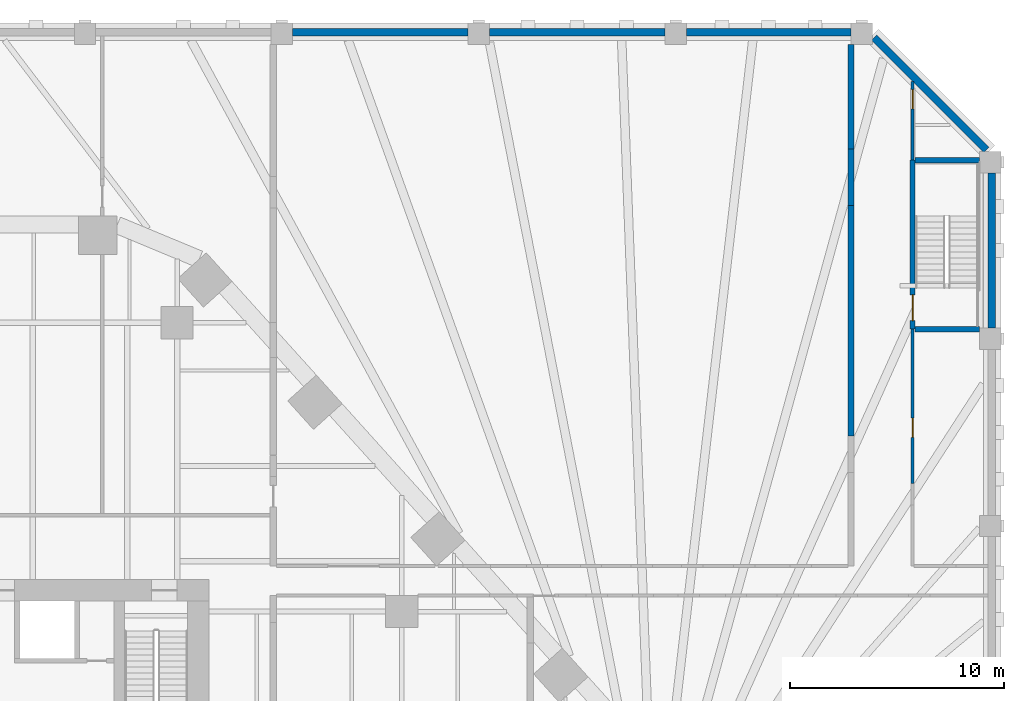
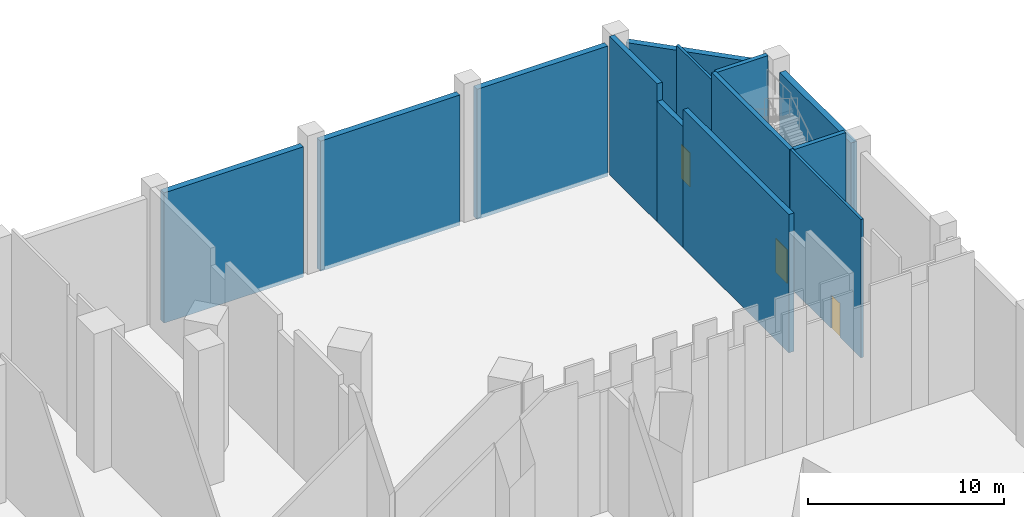
# One storey, part 12 of 23: 13 walls, 3 doors, 3 openings.
"""IFC4 building model written with IfcOpenShell, lengths in metres."""

import ifcopenshell
import ifcopenshell.guid

model = None  # the IFC model being written
_history = None  # IfcOwnerHistory: only IFC2X3 demands one
_inside = {}  # id of a spatial element -> (the spatial element, [elements in it])
_under = {}  # id of a project, library or spatial element -> (it, [spatial elements below it])
_declared = {}  # id of a project -> (the project, [libraries it declares])
_typed = {}  # id of a type object -> (the type object, [elements of that type])
_made_of = {}  # id of a material, layer set ... -> (it, [elements and type objects made of it])


def new_model(schema):
    """Start an empty IFC model of exactly this schema.

    Asked for "IFC4X3", IfcOpenShell would pick the latest addendum, in which some entities
    have other attributes; the version numbers below select the first issue.
    IFC2X3 requires an IfcOwnerHistory on every rooted entity: one is made here for all.
    """
    global model, _history
    if schema == "IFC4X3":
        model = ifcopenshell.file(schema_version=(4, 3, 0, 0))
    else:
        model = ifcopenshell.file(schema=schema)
    _inside.clear()
    _under.clear()
    _declared.clear()
    _typed.clear()
    _made_of.clear()
    _history = None
    if model.schema == "IFC2X3":
        org = make("IfcOrganization", Name="unknown")
        user = make(
            "IfcPersonAndOrganization",
            ThePerson=make("IfcPerson", FamilyName="unknown"),
            TheOrganization=org,
        )
        app = make(
            "IfcApplication",
            ApplicationDeveloper=org,
            Version="unknown",
            ApplicationFullName="unknown",
            ApplicationIdentifier="unknown",
        )
        _history = make(
            "IfcOwnerHistory",
            OwningUser=user,
            OwningApplication=app,
            ChangeAction="ADDED",
            CreationDate=0,
        )
    return model


def make(cls, **values):
    """One entity of the class cls with the attributes given. An attribute that is None is left unset."""
    return model.create_entity(
        cls, **{name: value for name, value in values.items() if value is not None}
    )


def rooted(cls, **values):
    """An entity with a GlobalId (a new one), such as an element, a storey or a relation."""
    return make(cls, GlobalId=ifcopenshell.guid.new(), OwnerHistory=_history, **values)


def si_unit(unit_type, name, prefix=None):
    """IfcSIUnit, for example si_unit("LENGTHUNIT", "METRE", prefix="MILLI")."""
    return make("IfcSIUnit", UnitType=unit_type, Prefix=prefix, Name=name)


def assignment(units):
    """IfcUnitAssignment: the units of a project."""
    return None if units is None else make("IfcUnitAssignment", Units=units)


def point(xyz):
    """IfcCartesianPoint."""
    return None if xyz is None else make("IfcCartesianPoint", Coordinates=xyz)


def direction(xyz):
    """IfcDirection."""
    return None if xyz is None else make("IfcDirection", DirectionRatios=xyz)


def frame(location, z_axis=None, x_axis=None):
    """IfcAxis2Placement3D, a coordinate frame: its origin and axes. An axis left out is left unset."""
    return make(
        "IfcAxis2Placement3D",
        Location=point(location),
        Axis=direction(z_axis),
        RefDirection=direction(x_axis),
    )


def frame_2d(location, x_axis=None):
    """IfcAxis2Placement2D, a coordinate frame in the plane: its origin and x axis."""
    return make(
        "IfcAxis2Placement2D", Location=point(location), RefDirection=direction(x_axis)
    )


def origin():
    """The frame at (0, 0, 0) with its axes left unset."""
    return frame((0.0, 0.0, 0.0))


def place(relative_to, where):
    """IfcLocalPlacement: puts the frame where relative to a parent placement (None: the world)."""
    return make(
        "IfcLocalPlacement", PlacementRelTo=relative_to, RelativePlacement=where
    )


def context(
    kind, dimensions, precision=None, world=None, true_north=None, identifier=None
):
    """IfcGeometricRepresentationContext, for example the 3D "Model" context."""
    return make(
        "IfcGeometricRepresentationContext",
        ContextIdentifier=identifier,
        ContextType=kind,
        CoordinateSpaceDimension=dimensions,
        Precision=precision,
        WorldCoordinateSystem=world,
        TrueNorth=true_north,
    )


def subcontext(parent, identifier, kind, view, scale=None):
    """IfcGeometricRepresentationSubContext, for example "Body" below "Model"."""
    return make(
        "IfcGeometricRepresentationSubContext",
        ContextIdentifier=identifier,
        ContextType=kind,
        ParentContext=parent,
        TargetScale=scale,
        TargetView=view,
    )


def project(units=None, contexts=None):
    """IfcProject with its units and contexts."""
    return rooted(
        "IfcProject",
        Name="project",
        RepresentationContexts=contexts,
        UnitsInContext=assignment(units),
    )


def spatial(cls, under=None, at=None, **own):
    """A site, building, storey or space (cls), placed at a placement, below another one or the project."""
    s = rooted(cls, ObjectPlacement=at, **own)
    if under is not None:
        _under.setdefault(under.id(), (under, []))[1].append(s)
    return s


def profile(cls, at=None, kind="AREA", **sizes):
    """A parametric profile (cls). Its sizes go by their IFC names, for example OverallWidth=200.0."""
    return make(cls, ProfileType=kind, Position=at, **sizes)


def rectangle(**sizes):
    """IfcRectangleProfileDef."""
    return profile("IfcRectangleProfileDef", **sizes)


def extrude(swept, where, along, depth):
    """IfcExtrudedAreaSolid: the profile swept, set in the frame where, extruded along a direction by depth."""
    return make(
        "IfcExtrudedAreaSolid",
        SweptArea=swept,
        Position=where,
        ExtrudedDirection=direction(along),
        Depth=depth,
    )


def shape(context_of_items, identifier, shape_type, items):
    """IfcShapeRepresentation: the items that make up one representation, for example the "Body"."""
    return make(
        "IfcShapeRepresentation",
        ContextOfItems=context_of_items,
        RepresentationIdentifier=identifier,
        RepresentationType=shape_type,
        Items=items,
    )


def material(Name=None, Category=None):
    """IfcMaterial."""
    return make("IfcMaterial", Name=Name, Category=Category)


def layer(
    of_material, thickness, ventilated=None, Name=None, Category=None, Priority=None
):
    """IfcMaterialLayer: one layer of a wall or slab, of a material (None: an air gap)."""
    return make(
        "IfcMaterialLayer",
        Material=of_material,
        LayerThickness=thickness,
        IsVentilated=ventilated,
        Name=Name,
        Category=Category,
        Priority=Priority,
    )


def layer_set(layers, Name=None):
    """IfcMaterialLayerSet."""
    return make("IfcMaterialLayerSet", MaterialLayers=layers, LayerSetName=Name)


def made_of(thing, what):
    """Note that an element or type object is made of a material, layer set ...; save() writes the relation."""
    if what is not None:
        _made_of.setdefault(what.id(), (what, []))[1].append(thing)
    return thing


def type_object(cls, material=None, **own):
    """A type object (cls), such as IfcWallType, which elements share."""
    return made_of(rooted(cls, **own), material)


def element(
    cls,
    number,
    at=None,
    inside=None,
    cuts=None,
    type_object=None,
    material=None,
    context=None,
    identifier="Body",
    shape_type=None,
    held_by="IfcProductDefinitionShape",
    body=None,
    shapes=None,
    **own,
):
    """One element of the class cls, such as IfcWall. Its Tag is "e" and its number.

    at: its placement. inside: the storey or other place that contains it. cuts: it is an
    opening in that element (IfcRelVoidsElement). A single representation is given by context,
    identifier, shape_type and body (its items); several are given by shapes. held_by: the class
    of the entity that holds the representations. save() writes the other relations.
    """
    e = rooted(cls, Tag="e%d" % number, ObjectPlacement=at, **own)
    if body is not None:
        shapes = [shape(context, identifier, shape_type, body)]
    if shapes is not None:
        e.Representation = make(held_by, Representations=shapes)
    if inside is not None:
        _inside.setdefault(inside.id(), (inside, []))[1].append(e)
    if cuts is not None:
        rooted(
            "IfcRelVoidsElement", RelatingBuildingElement=cuts, RelatedOpeningElement=e
        )
    if type_object is not None:
        _typed.setdefault(type_object.id(), (type_object, []))[1].append(e)
    return made_of(e, material)


def fill(opening, filler):
    """IfcRelFillsElement: the door or window that sits in an opening."""
    return rooted(
        "IfcRelFillsElement",
        RelatingOpeningElement=opening,
        RelatedBuildingElement=filler,
    )


def aggregate(whole, parts):
    """IfcRelAggregates: a whole, such as a stair, and the parts it consists of."""
    return rooted("IfcRelAggregates", RelatingObject=whole, RelatedObjects=parts)


def save(model, path):
    """Write the relations noted so far, then the file.

    IfcRelAggregates (storeys below a building ...), IfcRelContainedInSpatialStructure (elements
    in a storey), IfcRelDefinesByType, IfcRelAssociatesMaterial and IfcRelDeclares: one each for
    every whole, place, type object, material and project.
    """
    for whole, parts in _under.values():
        aggregate(whole, parts)
    for where, things in _inside.values():
        rooted(
            "IfcRelContainedInSpatialStructure",
            RelatedElements=things,
            RelatingStructure=where,
        )
    for kind, things in _typed.values():
        rooted("IfcRelDefinesByType", RelatedObjects=things, RelatingType=kind)
    for what, things in _made_of.values():
        rooted("IfcRelAssociatesMaterial", RelatedObjects=things, RelatingMaterial=what)
    for by, libraries in _declared.values():
        rooted("IfcRelDeclares", RelatingContext=by, RelatedDefinitions=libraries)
    model.write(path)


model = new_model("IFC4")

# Units and contexts
model_context = context("Model", 3, precision=1e-05, world=origin(), true_north=direction((0.0, 1.0)))
body_context = subcontext(model_context, "Body", "Model", "MODEL_VIEW")
ifc_project = project(units=[si_unit("LENGTHUNIT", "METRE"), si_unit("AREAUNIT", "SQUARE_METRE"), si_unit("VOLUMEUNIT", "CUBIC_METRE"), si_unit("PLANEANGLEUNIT", "RADIAN"), si_unit("MASSUNIT", "GRAM", prefix="KILO")], contexts=[model_context])

# Site, building, storey
site_placement = place(None, origin())
site = spatial("IfcSite", under=ifc_project, at=site_placement, CompositionType="ELEMENT")
building_placement = place(site_placement, origin())
building = spatial("IfcBuilding", under=site, at=building_placement, Name="Isthmus Gate Tower", CompositionType="ELEMENT")
storey_placement = place(building_placement, frame((0.0, 0.0, 9.0)))
storey = spatial("IfcBuildingStorey", under=building, at=storey_placement, Name="L01", CompositionType="ELEMENT", Elevation=9.0)

# Walls
ifc_material_1 = material(Name="Double-leaf gypsum board with mineral wool, resilient mounted")
ifc_layer_1 = layer(ifc_material_1, 0.300048828125)
ifc_layer_set_1 = layer_set([ifc_layer_1], Name="Acoustic studio wall 300 double leaf")
wall_type_1 = type_object("IfcWallType", Name="Acoustic studio wall 300 double leaf", PredefinedType="PARTITIONING", material=ifc_layer_set_1)
wall_1_placement = place(storey_placement, frame((45.0, 21.717041015625, 0.0), z_axis=(0.0, 0.0, 1.0), x_axis=(0.0, 1.0, 0.0)))
element("IfcWall", 1, at=wall_1_placement, inside=storey, type_object=wall_type_1, Name="Acoustic studio wall", PredefinedType="PARTITIONING", context=body_context, shape_type="SweptSolid", body=[
    extrude(rectangle(XDim=10.76806640625, YDim=0.300048828125, at=frame_2d((5.384033203125, 0.0))), origin(), (0.0, 0.0, 1.0), 8.60009765625),
])
wall_2_placement = place(storey_placement, frame((45.0, 32.485107421875, 0.0), z_axis=(0.0, 0.0, 1.0), x_axis=(0.0, 1.0, 0.0)))
element("IfcWall", 2, at=wall_2_placement, inside=storey, type_object=wall_type_1, Name="Acoustic studio wall", PredefinedType="PARTITIONING", context=body_context, shape_type="SweptSolid", body=[
    extrude(rectangle(XDim=2.6416015625, YDim=0.300048828125, at=frame_2d((1.32080078125, 0.0))), origin(), (0.0, 0.0, 1.0), 7.510986328125),
])
wall_3_placement = place(storey_placement, frame((45.0, 35.126708984375, 0.0), z_axis=(0.0, 0.0, 1.0), x_axis=(0.0, 1.0, 0.0)))
element("IfcWall", 3, at=wall_3_placement, inside=storey, type_object=wall_type_1, Name="Acoustic studio wall", PredefinedType="PARTITIONING", context=body_context, shape_type="SweptSolid", body=[
    extrude(rectangle(XDim=4.873291015625, YDim=0.300048828125, at=frame_2d((2.4365234375, 0.0))), origin(), (0.0, 0.0, 1.0), 8.60009765625),
])

# Wall, opening, door
ifc_material_2 = material(Name="Fire-rated gypsum board on steel studs", Category="steel")
ifc_layer_2 = layer(ifc_material_2, 0.14990234375)
ifc_layer_set_2 = layer_set([ifc_layer_2], Name="Fire-rated partition 150 EI 60")
wall_type_2 = type_object("IfcWallType", Name="Fire-rated partition 150 EI 60", PredefinedType="PARTITIONING", material=ifc_layer_set_2)
wall_4_placement = place(storey_placement, frame((47.875, 19.49658203125, 0.0), z_axis=(0.0, 0.0, 1.0), x_axis=(0.0, 1.0, 0.0)))
wall_4 = element("IfcWall", 4, at=wall_4_placement, inside=storey, type_object=wall_type_2, Name="Fire-rated partition", PredefinedType="PARTITIONING", context=body_context, shape_type="SweptSolid", body=[
    extrude(rectangle(XDim=7.203369140625, YDim=0.14990234375, at=frame_2d((3.6015625, 0.0))), origin(), (0.0, 0.0, 1.0), 8.60009765625),
])
opening_1_placement = place(wall_4_placement, frame((2.14990234375, 0.0, 0.0)))
opening_1 = element("IfcOpeningElement", 5, at=opening_1_placement, cuts=wall_4, Name="Opening DP01-05", PredefinedType="OPENING", context=body_context, shape_type="SweptSolid", body=[
    extrude(rectangle(XDim=0.89990234375, YDim=2.10009765625, at=frame_2d((0.449951171875, 1.050048828125))), frame((0.0, 0.0849609375, 0.0), z_axis=(0.0, -1.0, 0.0), x_axis=(1.0, 0.0, 0.0)), (0.0, 0.0, 1.0), 0.169921875),
])
ifc_material_3 = material(Name="Steel fire door with intumescent seals", Category="steel")
door_type_1 = type_object("IfcDoorType", Name="Fire door 900 x 2100", OperationType="SINGLE_SWING_LEFT", PredefinedType="DOOR", material=ifc_material_3)
door_1_placement = place(opening_1_placement, origin())
door_1 = element("IfcDoor", 6, at=door_1_placement, inside=storey, type_object=door_type_1, Name="Door DP01-05", OperationType="SINGLE_SWING_LEFT", OverallHeight=2.10009765625, OverallWidth=0.89990234375, PredefinedType="DOOR", context=body_context, shape_type="SweptSolid", body=[
    extrude(rectangle(XDim=0.89990234375, YDim=2.10009765625, at=frame_2d((0.449951171875, 1.050048828125))), frame((0.0, 0.02490234375, 0.0), z_axis=(0.0, -1.0, 0.0), x_axis=(1.0, 0.0, 0.0)), (0.0, 0.0, 1.0), 0.050048828125),
])
fill(opening_1, door_1)

wall_5_placement = place(storey_placement, frame((47.875, 34.60009765625, 0.0), z_axis=(0.0, 0.0, 1.0), x_axis=(0.0, 1.0, 0.0)))
wall_5 = element("IfcWall", 7, at=wall_5_placement, inside=storey, type_object=wall_type_2, Name="Fire-rated partition", PredefinedType="PARTITIONING", context=body_context, shape_type="SweptSolid", body=[
    extrude(rectangle(XDim=3.676513671875, YDim=0.14990234375, at=frame_2d((1.83837890625, 0.0))), origin(), (0.0, 0.0, 1.0), 8.066650390625),
])
opening_2_placement = place(wall_5_placement, frame((2.39990234375, 0.0, 0.0)))
opening_2 = element("IfcOpeningElement", 8, at=opening_2_placement, cuts=wall_5, Name="Opening DP01-06", PredefinedType="OPENING", context=body_context, shape_type="SweptSolid", body=[
    extrude(rectangle(XDim=0.89990234375, YDim=2.10009765625, at=frame_2d((0.449951171875, 1.050048828125))), frame((0.0, 0.0849609375, 0.0), z_axis=(0.0, -1.0, 0.0), x_axis=(1.0, 0.0, 0.0)), (0.0, 0.0, 1.0), 0.169921875),
])
door_2_placement = place(opening_2_placement, origin())
door_2 = element("IfcDoor", 9, at=door_2_placement, inside=storey, type_object=door_type_1, Name="Door DP01-06", OperationType="SINGLE_SWING_LEFT", OverallHeight=2.10009765625, OverallWidth=0.89990234375, PredefinedType="DOOR", context=body_context, shape_type="SweptSolid", body=[
    extrude(rectangle(XDim=0.89990234375, YDim=2.10009765625, at=frame_2d((0.449951171875, 1.050048828125))), frame((0.0, 0.02490234375, 0.0), z_axis=(0.0, -1.0, 0.0), x_axis=(1.0, 0.0, 0.0)), (0.0, 0.0, 1.0), 0.050048828125),
])
fill(opening_2, door_2)

# Walls
ifc_material_4 = material(Name="Precast concrete C40/50, limestone-faced", Category="masonry")
ifc_layer_3 = layer(ifc_material_4, 0.35009765625)
ifc_layer_set_3 = layer_set([ifc_layer_3], Name="PODIUM CLADDING WALL 350")
wall_type_3 = type_object("IfcWallType", Name="PODIUM CLADDING WALL 350", PredefinedType="SOLIDWALL", material=ifc_layer_set_3)
wall_6_placement = place(storey_placement, frame((51.574951171875, 26.75, -0.39990234375), z_axis=(0.0, 0.0, 1.0), x_axis=(0.0, 1.0, 0.0)))
element("IfcWall", 10, at=wall_6_placement, inside=storey, type_object=wall_type_3, Name="PODIUM WALL", PredefinedType="SOLIDWALL", context=body_context, shape_type="SweptSolid", body=[
    extrude(rectangle(XDim=7.25, YDim=0.35009765625, at=frame_2d((3.625, 0.0))), origin(), (0.0, 0.0, 1.0), 8.099853515625),
])
wall_7_placement = place(storey_placement, frame((51.327392578125, 35.071533203125, -0.39990234375), z_axis=(0.0, 0.0, 1.0), x_axis=(-0.707106781187, 0.707106781187, 0.0)))
element("IfcWall", 11, at=wall_7_placement, inside=storey, type_object=wall_type_3, Name="PODIUM WALL", PredefinedType="SOLIDWALL", context=body_context, shape_type="SweptSolid", body=[
    extrude(rectangle(XDim=7.432861328125, YDim=0.35009765625, at=frame_2d((3.71630859375, 0.0))), origin(), (0.0, 0.0, 1.0), 8.099853515625),
])
wall_8_placement = place(storey_placement, frame((45.0, 40.574951171875, -0.39990234375), z_axis=(0.0, 0.0, 1.0), x_axis=(-1.0, 0.0, 0.0)))
element("IfcWall", 12, at=wall_8_placement, inside=storey, type_object=wall_type_3, Name="PODIUM WALL", PredefinedType="SOLIDWALL", context=body_context, shape_type="SweptSolid", body=[
    extrude(rectangle(XDim=7.699951171875, YDim=0.35009765625, at=frame_2d((3.85009765625, 0.0))), origin(), (0.0, 0.0, 1.0), 8.099853515625),
])
wall_9_placement = place(storey_placement, frame((36.300048828125, 40.574951171875, -0.39990234375), z_axis=(0.0, 0.0, 1.0), x_axis=(-1.0, 0.0, 0.0)))
element("IfcWall", 13, at=wall_9_placement, inside=storey, type_object=wall_type_3, Name="PODIUM WALL", PredefinedType="SOLIDWALL", context=body_context, shape_type="SweptSolid", body=[
    extrude(rectangle(XDim=8.199951171875, YDim=0.35009765625, at=frame_2d((4.10009765625, 0.0))), origin(), (0.0, 0.0, 1.0), 8.099853515625),
])
wall_10_placement = place(storey_placement, frame((27.10009765625, 40.574951171875, -0.39990234375), z_axis=(0.0, 0.0, 1.0), x_axis=(-1.0, 0.0, 0.0)))
element("IfcWall", 14, at=wall_10_placement, inside=storey, type_object=wall_type_3, Name="PODIUM WALL", PredefinedType="SOLIDWALL", context=body_context, shape_type="SweptSolid", body=[
    extrude(rectangle(XDim=8.2001953125, YDim=0.35009765625, at=frame_2d((4.10009765625, 0.0))), origin(), (0.0, 0.0, 1.0), 8.099853515625),
])
ifc_material_5 = material(Name="Concrete f'c 40 MPa", Category="concrete")
ifc_layer_4 = layer(ifc_material_5, 0.25)
ifc_layer_set_4 = layer_set([ifc_layer_4])
wall_type_4 = type_object("IfcWallType", Name="Stair shaft wall 250 reinforced concrete", PredefinedType="SHEAR", material=ifc_layer_set_4)
for number, where, z_axis, x_axis, name in (
    (15, (48.0, 26.699951171875, 0.0), (0.0, 0.0, 1.0), (1.0, 0.0, 0.0), "Stair shaft wall"),
    (16, (48.0, 34.60009765625, 0.0), (0.0, 0.0, 1.0), (1.0, 0.0, 0.0), "Stair shaft wall"),
):
    element("IfcWall", number, at=place(storey_placement, frame(where, z_axis=z_axis, x_axis=x_axis)), inside=storey, type_object=wall_type_4, Name=name, PredefinedType="SHEAR", context=body_context, shape_type="SweptSolid", body=[
        extrude(rectangle(XDim=3.0, YDim=0.25, at=frame_2d((1.5, 0.0))), origin(), (0.0, 0.0, 1.0), 8.60009765625),
    ])

# Wall, opening, door
wall_11_placement = place(storey_placement, frame((47.875, 26.699951171875, 0.0), z_axis=(0.0, 0.0, 1.0), x_axis=(0.0, 1.0, 0.0)))
wall_11 = element("IfcWall", 17, at=wall_11_placement, inside=storey, type_object=wall_type_4, Name="Stair shaft wall", PredefinedType="SHEAR", context=body_context, shape_type="SweptSolid", body=[
    extrude(rectangle(XDim=7.900146484375, YDim=0.25, at=frame_2d((3.9501953125, 0.0))), origin(), (0.0, 0.0, 1.0), 8.60009765625),
])
opening_3_placement = place(wall_11_placement, frame((0.39990234375, 0.0, 0.0)))
opening_3 = element("IfcOpeningElement", 18, at=opening_3_placement, cuts=wall_11, Name="Opening DP01-04", PredefinedType="OPENING", context=body_context, shape_type="SweptSolid", body=[
    extrude(rectangle(XDim=1.199951171875, YDim=2.10009765625, at=frame_2d((0.60009765625, 1.050048828125))), frame((0.0, 0.135009765625, 0.0), z_axis=(0.0, -1.0, 0.0), x_axis=(1.0, 0.0, 0.0)), (0.0, 0.0, 1.0), 0.27001953125),
])
ifc_material_6 = material(Name="Steel fire door with intumescent seals", Category="steel")
door_type_2 = type_object("IfcDoorType", Name="Fire door 1200 x 2100", OperationType="SINGLE_SWING_LEFT", PredefinedType="DOOR", material=ifc_material_6)
door_3_placement = place(opening_3_placement, origin())
door_3 = element("IfcDoor", 19, at=door_3_placement, inside=storey, type_object=door_type_2, Name="Door DP01-04", OperationType="SINGLE_SWING_LEFT", OverallHeight=2.10009765625, OverallWidth=1.199951171875, PredefinedType="DOOR", context=body_context, shape_type="SweptSolid", body=[
    extrude(rectangle(XDim=1.199951171875, YDim=2.10009765625, at=frame_2d((0.60009765625, 1.050048828125))), frame((0.0, 0.02490234375, 0.0), z_axis=(0.0, -1.0, 0.0), x_axis=(1.0, 0.0, 0.0)), (0.0, 0.0, 1.0), 0.050048828125),
])
fill(opening_3, door_3)

save(model, "model.ifc")
